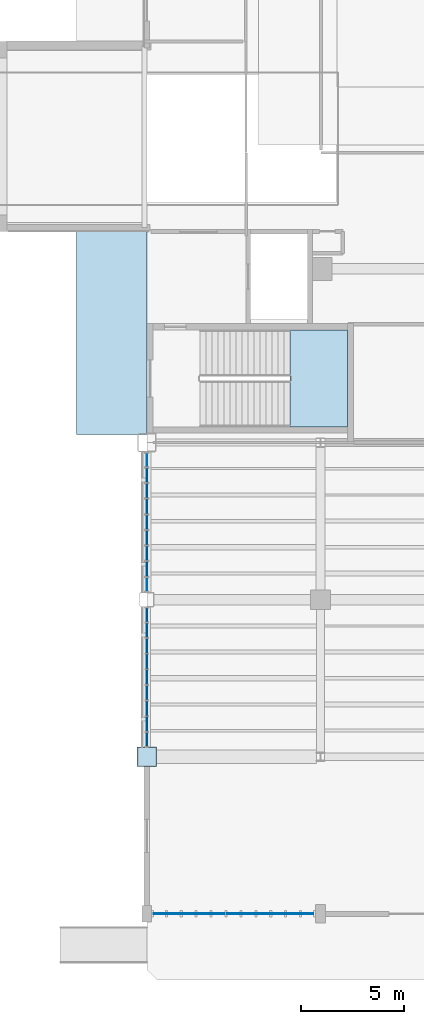
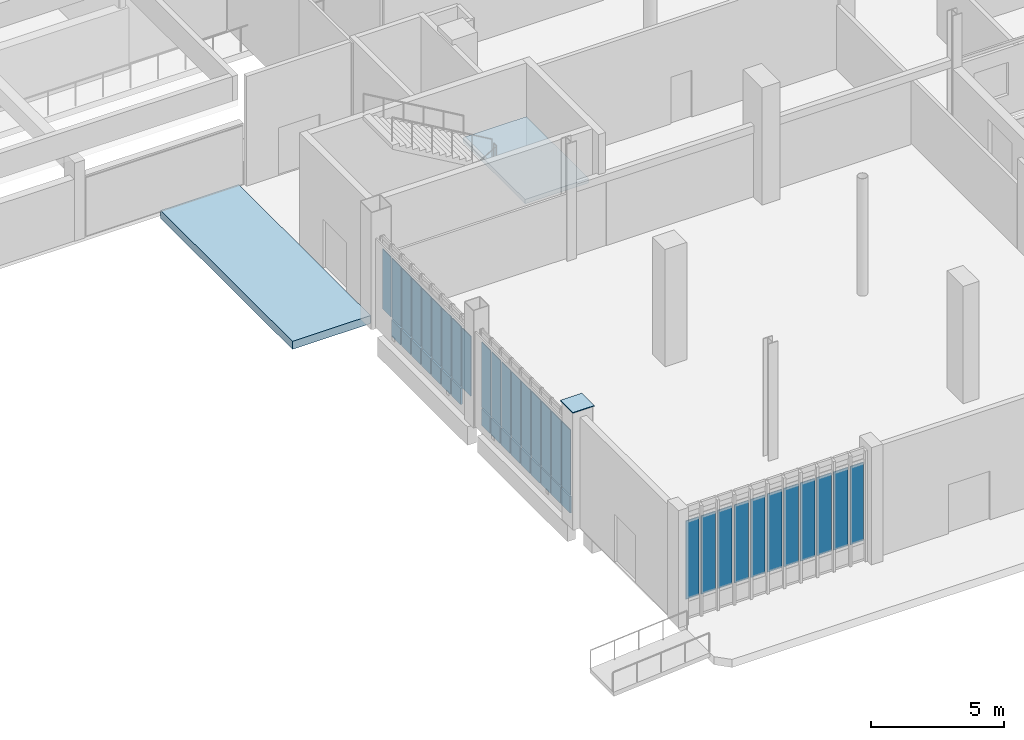
# One storey, part 51 of 111: 46 plates, 2 slabs, 4 elements without a shape of their own.
"""IFC4 building model written with IfcOpenShell, lengths in metres."""

from ifc_helpers import new_model, si_unit, direction, frame, origin, origin_2d, place, context, subcontext, project, spatial, polyline, rectangle, outline, extrude, material, layer, layer_set, type_object, element, aggregate, save


model = new_model("IFC4")

# Units and contexts
model_context = context("Model", 3, precision=1e-05, world=origin(), true_north=direction((0.0, 1.0)))
body_context = subcontext(model_context, "Body", "Model", "MODEL_VIEW")
ifc_project = project(units=[si_unit("LENGTHUNIT", "METRE"), si_unit("AREAUNIT", "SQUARE_METRE"), si_unit("VOLUMEUNIT", "CUBIC_METRE"), si_unit("PLANEANGLEUNIT", "RADIAN"), si_unit("MASSUNIT", "GRAM", prefix="KILO")], contexts=[model_context])

# Site, building, storey
site_placement = place(None, origin())
site = spatial("IfcSite", under=ifc_project, at=site_placement, CompositionType="ELEMENT")
building_placement = place(site_placement, origin())
building = spatial("IfcBuilding", under=site, at=building_placement, Name="Larkvane Passage Sports Hall", CompositionType="ELEMENT")
storey_placement = place(building_placement, origin())
storey = spatial("IfcBuildingStorey", under=building, at=storey_placement, Name="L00", CompositionType="ELEMENT", Elevation=0.0)

# Curtain wall, plates
ifc_material_1 = material(Name="Thermally broken aluminium and low-E glazing", Category="aluminium")
curtain_wall_type_1 = type_object("IfcCurtainWallType", Name="CW-UNIT-COURT", PredefinedType="USERDEFINED", material=ifc_material_1)
curtain_wall_1_placement = place(storey_placement, origin())
curtain_wall_1 = element("IfcCurtainWall", 1, at=curtain_wall_1_placement, inside=storey, type_object=curtain_wall_type_1, Name="Curtain wall CW5-L00-004", ObjectType="UNITISED CURTAIN WALL", PredefinedType="USERDEFINED")
ifc_material_2 = material(Name="Insulated aluminium spandrel panel", Category="aluminium")
ifc_layer_1 = layer(ifc_material_2, 0.06494140625)
ifc_layer_set_1 = layer_set([ifc_layer_1], Name="Insulated aluminium spandrel panel")
plate_type_1 = type_object("IfcPlateType", Name="CWP-SPD-65", PredefinedType="CURTAIN_PANEL", material=ifc_layer_set_1)
plate_1_placement = place(storey_placement, frame((34.800048828125, 8.439208984375, 0.06005859375), z_axis=(0.0, 0.0, 1.0), x_axis=(0.0, 1.0, 0.0)))
plate_1 = element("IfcPlate", 2, at=plate_1_placement, type_object=plate_type_1, Name="CW-01 panel 1.1", PredefinedType="CURTAIN_PANEL", context=body_context, shape_type="SweptSolid", body=[
    extrude(rectangle(XDim=0.66650390625, YDim=0.06494140625, at=origin_2d()), origin(), (0.0, 0.0, 1.0), 0.760009765625),
])
plate_2_placement = place(storey_placement, frame((34.800048828125, 9.1806640625, 0.06005859375), z_axis=(0.0, 0.0, 1.0), x_axis=(0.0, 1.0, 0.0)))
plate_2 = element("IfcPlate", 3, at=plate_2_placement, type_object=plate_type_1, Name="CW-01 panel 2.1", PredefinedType="CURTAIN_PANEL", context=body_context, shape_type="SweptSolid", body=[
    extrude(rectangle(XDim=0.696533203125, YDim=0.06494140625, at=origin_2d()), origin(), (0.0, 0.0, 1.0), 0.760009765625),
])
plate_3_placement = place(storey_placement, frame((34.800048828125, 9.93701171875, 0.06005859375), z_axis=(0.0, 0.0, 1.0), x_axis=(0.0, 1.0, 0.0)))
plate_3 = element("IfcPlate", 4, at=plate_3_placement, type_object=plate_type_1, Name="CW-01 panel 3.1", PredefinedType="CURTAIN_PANEL", context=body_context, shape_type="SweptSolid", body=[
    extrude(rectangle(XDim=0.696533203125, YDim=0.06494140625, at=origin_2d()), origin(), (0.0, 0.0, 1.0), 0.760009765625),
])
plate_4_placement = place(storey_placement, frame((34.800048828125, 10.693603515625, 0.06005859375), z_axis=(0.0, 0.0, 1.0), x_axis=(0.0, 1.0, 0.0)))
plate_4 = element("IfcPlate", 5, at=plate_4_placement, type_object=plate_type_1, Name="CW-01 panel 4.1", PredefinedType="CURTAIN_PANEL", context=body_context, shape_type="SweptSolid", body=[
    extrude(rectangle(XDim=0.696533203125, YDim=0.06494140625, at=origin_2d()), origin(), (0.0, 0.0, 1.0), 0.760009765625),
])
plate_5_placement = place(storey_placement, frame((34.800048828125, 11.449951171875, 0.06005859375), z_axis=(0.0, 0.0, 1.0), x_axis=(0.0, 1.0, 0.0)))
plate_5 = element("IfcPlate", 6, at=plate_5_placement, type_object=plate_type_1, Name="CW-01 panel 5.1", PredefinedType="CURTAIN_PANEL", context=body_context, shape_type="SweptSolid", body=[
    extrude(rectangle(XDim=0.696533203125, YDim=0.06494140625, at=origin_2d()), origin(), (0.0, 0.0, 1.0), 0.760009765625),
])
plate_6_placement = place(storey_placement, frame((34.800048828125, 12.20654296875, 0.06005859375), z_axis=(0.0, 0.0, 1.0), x_axis=(0.0, 1.0, 0.0)))
plate_6 = element("IfcPlate", 7, at=plate_6_placement, type_object=plate_type_1, Name="CW-01 panel 6.1", PredefinedType="CURTAIN_PANEL", context=body_context, shape_type="SweptSolid", body=[
    extrude(rectangle(XDim=0.696533203125, YDim=0.06494140625, at=origin_2d()), origin(), (0.0, 0.0, 1.0), 0.760009765625),
])
plate_7_placement = place(storey_placement, frame((34.800048828125, 12.962890625, 0.06005859375), z_axis=(0.0, 0.0, 1.0), x_axis=(0.0, 1.0, 0.0)))
plate_7 = element("IfcPlate", 8, at=plate_7_placement, type_object=plate_type_1, Name="CW-01 panel 7.1", PredefinedType="CURTAIN_PANEL", context=body_context, shape_type="SweptSolid", body=[
    extrude(rectangle(XDim=0.696533203125, YDim=0.06494140625, at=origin_2d()), origin(), (0.0, 0.0, 1.0), 0.760009765625),
])
plate_8_placement = place(storey_placement, frame((34.800048828125, 13.71923828125, 0.06005859375), z_axis=(0.0, 0.0, 1.0), x_axis=(0.0, 1.0, 0.0)))
plate_8 = element("IfcPlate", 9, at=plate_8_placement, type_object=plate_type_1, Name="CW-01 panel 8.1", PredefinedType="CURTAIN_PANEL", context=body_context, shape_type="SweptSolid", body=[
    extrude(rectangle(XDim=0.696533203125, YDim=0.06494140625, at=origin_2d()), origin(), (0.0, 0.0, 1.0), 0.760009765625),
])
plate_9_placement = place(storey_placement, frame((34.800048828125, 14.460693359375, 0.06005859375), z_axis=(0.0, 0.0, 1.0), x_axis=(0.0, 1.0, 0.0)))
plate_9 = element("IfcPlate", 10, at=plate_9_placement, type_object=plate_type_1, Name="CW-01 panel 9.1", PredefinedType="CURTAIN_PANEL", context=body_context, shape_type="SweptSolid", body=[
    extrude(rectangle(XDim=0.66650390625, YDim=0.06494140625, at=origin_2d()), origin(), (0.0, 0.0, 1.0), 0.760009765625),
])

curtain_wall_type_2 = type_object("IfcCurtainWallType", Name="CW-UNIT-VEIL", PredefinedType="USERDEFINED", material=ifc_material_1)
curtain_wall_2_placement = place(storey_placement, origin())
curtain_wall_2 = element("IfcCurtainWall", 11, at=curtain_wall_2_placement, inside=storey, type_object=curtain_wall_type_2, Name="Curtain wall CW5-L00-005", ObjectType="UNITISED CURTAIN WALL", PredefinedType="USERDEFINED")
ifc_material_3 = material(Name="Mineral-wool insulated spandrel cassette")
ifc_layer_2 = layer(ifc_material_3, 0.0849609375)
ifc_layer_set_2 = layer_set([ifc_layer_2], Name="Mineral-wool insulated spandrel cassette")
plate_type_2 = type_object("IfcPlateType", Name="CWP-SPD-85", PredefinedType="CURTAIN_PANEL", material=ifc_layer_set_2)
plate_10_placement = place(storey_placement, frame((34.800048828125, 16.6806640625, 0.06982421875), z_axis=(0.0, 0.0, 1.0), x_axis=(0.0, 1.0, 0.0)))
plate_10 = element("IfcPlate", 12, at=plate_10_placement, type_object=plate_type_2, Name="CW-02 panel 2.1", PredefinedType="CURTAIN_PANEL", context=body_context, shape_type="SweptSolid", body=[
    extrude(rectangle(XDim=0.6865234375, YDim=0.0849609375, at=origin_2d()), origin(), (0.0, 0.0, 1.0), 0.7451171875),
])
plate_11_placement = place(storey_placement, frame((34.800048828125, 17.43701171875, 0.06982421875), z_axis=(0.0, 0.0, 1.0), x_axis=(0.0, 1.0, 0.0)))
plate_11 = element("IfcPlate", 13, at=plate_11_placement, type_object=plate_type_2, Name="CW-02 panel 3.1", PredefinedType="CURTAIN_PANEL", context=body_context, shape_type="SweptSolid", body=[
    extrude(rectangle(XDim=0.6865234375, YDim=0.0849609375, at=origin_2d()), origin(), (0.0, 0.0, 1.0), 0.7451171875),
])
plate_12_placement = place(storey_placement, frame((34.800048828125, 18.193603515625, 0.06982421875), z_axis=(0.0, 0.0, 1.0), x_axis=(0.0, 1.0, 0.0)))
plate_12 = element("IfcPlate", 14, at=plate_12_placement, type_object=plate_type_2, Name="CW-02 panel 4.1", PredefinedType="CURTAIN_PANEL", context=body_context, shape_type="SweptSolid", body=[
    extrude(rectangle(XDim=0.6865234375, YDim=0.0849609375, at=origin_2d()), origin(), (0.0, 0.0, 1.0), 0.7451171875),
])
plate_13_placement = place(storey_placement, frame((34.800048828125, 18.949951171875, 0.06982421875), z_axis=(0.0, 0.0, 1.0), x_axis=(0.0, 1.0, 0.0)))
plate_13 = element("IfcPlate", 15, at=plate_13_placement, type_object=plate_type_2, Name="CW-02 panel 5.1", PredefinedType="CURTAIN_PANEL", context=body_context, shape_type="SweptSolid", body=[
    extrude(rectangle(XDim=0.6865234375, YDim=0.0849609375, at=origin_2d()), origin(), (0.0, 0.0, 1.0), 0.7451171875),
])
plate_14_placement = place(storey_placement, frame((34.800048828125, 19.70654296875, 0.06982421875), z_axis=(0.0, 0.0, 1.0), x_axis=(0.0, 1.0, 0.0)))
plate_14 = element("IfcPlate", 16, at=plate_14_placement, type_object=plate_type_2, Name="CW-02 panel 6.1", PredefinedType="CURTAIN_PANEL", context=body_context, shape_type="SweptSolid", body=[
    extrude(rectangle(XDim=0.6865234375, YDim=0.0849609375, at=origin_2d()), origin(), (0.0, 0.0, 1.0), 0.7451171875),
])
plate_15_placement = place(storey_placement, frame((34.800048828125, 20.462890625, 0.06982421875), z_axis=(0.0, 0.0, 1.0), x_axis=(0.0, 1.0, 0.0)))
plate_15 = element("IfcPlate", 17, at=plate_15_placement, type_object=plate_type_2, Name="CW-02 panel 7.1", PredefinedType="CURTAIN_PANEL", context=body_context, shape_type="SweptSolid", body=[
    extrude(rectangle(XDim=0.6865234375, YDim=0.0849609375, at=origin_2d()), origin(), (0.0, 0.0, 1.0), 0.7451171875),
])
plate_16_placement = place(storey_placement, frame((34.800048828125, 21.21923828125, 0.06982421875), z_axis=(0.0, 0.0, 1.0), x_axis=(0.0, 1.0, 0.0)))
plate_16 = element("IfcPlate", 18, at=plate_16_placement, type_object=plate_type_2, Name="CW-02 panel 8.1", PredefinedType="CURTAIN_PANEL", context=body_context, shape_type="SweptSolid", body=[
    extrude(rectangle(XDim=0.6865234375, YDim=0.0849609375, at=origin_2d()), origin(), (0.0, 0.0, 1.0), 0.7451171875),
])

# Plate
ifc_material_4 = material(Name="Solar-control low-E double glazing", Category="glass")
ifc_layer_3 = layer(ifc_material_4, 0.028076171875)
ifc_layer_set_3 = layer_set([ifc_layer_3], Name="Solar-control low-E double glazing")
plate_type_3 = type_object("IfcPlateType", Name="CWP-VIS-28", PredefinedType="CURTAIN_PANEL", material=ifc_layer_set_3)
plate_17_placement = place(storey_placement, frame((34.800048828125, 8.439208984375, 0.8798828125), z_axis=(0.0, 0.0, 1.0), x_axis=(0.0, 1.0, 0.0)))
plate_17 = element("IfcPlate", 19, at=plate_17_placement, type_object=plate_type_3, Name="CW-01 panel 1.2", PredefinedType="CURTAIN_PANEL", context=body_context, shape_type="SweptSolid", body=[
    extrude(rectangle(XDim=0.66650390625, YDim=0.028076171875, at=origin_2d()), origin(), (0.0, 0.0, 1.0), 3.008056640625),
])

plate_18_placement = place(storey_placement, frame((34.800048828125, 9.1806640625, 0.8798828125), z_axis=(0.0, 0.0, 1.0), x_axis=(0.0, 1.0, 0.0)))
plate_18 = element("IfcPlate", 20, at=plate_18_placement, type_object=plate_type_3, Name="CW-01 panel 2.2", PredefinedType="CURTAIN_PANEL", context=body_context, shape_type="SweptSolid", body=[
    extrude(rectangle(XDim=0.696533203125, YDim=0.028076171875, at=origin_2d()), origin(), (0.0, 0.0, 1.0), 3.008056640625),
])

plate_19_placement = place(storey_placement, frame((34.800048828125, 9.93701171875, 0.8798828125), z_axis=(0.0, 0.0, 1.0), x_axis=(0.0, 1.0, 0.0)))
plate_19 = element("IfcPlate", 21, at=plate_19_placement, type_object=plate_type_3, Name="CW-01 panel 3.2", PredefinedType="CURTAIN_PANEL", context=body_context, shape_type="SweptSolid", body=[
    extrude(rectangle(XDim=0.696533203125, YDim=0.028076171875, at=origin_2d()), origin(), (0.0, 0.0, 1.0), 3.008056640625),
])

plate_20_placement = place(storey_placement, frame((34.800048828125, 10.693603515625, 0.8798828125), z_axis=(0.0, 0.0, 1.0), x_axis=(0.0, 1.0, 0.0)))
plate_20 = element("IfcPlate", 22, at=plate_20_placement, type_object=plate_type_3, Name="CW-01 panel 4.2", PredefinedType="CURTAIN_PANEL", context=body_context, shape_type="SweptSolid", body=[
    extrude(rectangle(XDim=0.696533203125, YDim=0.028076171875, at=origin_2d()), origin(), (0.0, 0.0, 1.0), 3.008056640625),
])

plate_21_placement = place(storey_placement, frame((34.800048828125, 11.449951171875, 0.8798828125), z_axis=(0.0, 0.0, 1.0), x_axis=(0.0, 1.0, 0.0)))
plate_21 = element("IfcPlate", 23, at=plate_21_placement, type_object=plate_type_3, Name="CW-01 panel 5.2", PredefinedType="CURTAIN_PANEL", context=body_context, shape_type="SweptSolid", body=[
    extrude(rectangle(XDim=0.696533203125, YDim=0.028076171875, at=origin_2d()), origin(), (0.0, 0.0, 1.0), 3.008056640625),
])

plate_22_placement = place(storey_placement, frame((34.800048828125, 12.20654296875, 0.8798828125), z_axis=(0.0, 0.0, 1.0), x_axis=(0.0, 1.0, 0.0)))
plate_22 = element("IfcPlate", 24, at=plate_22_placement, type_object=plate_type_3, Name="CW-01 panel 6.2", PredefinedType="CURTAIN_PANEL", context=body_context, shape_type="SweptSolid", body=[
    extrude(rectangle(XDim=0.696533203125, YDim=0.028076171875, at=origin_2d()), origin(), (0.0, 0.0, 1.0), 3.008056640625),
])

plate_23_placement = place(storey_placement, frame((34.800048828125, 12.962890625, 0.8798828125), z_axis=(0.0, 0.0, 1.0), x_axis=(0.0, 1.0, 0.0)))
plate_23 = element("IfcPlate", 25, at=plate_23_placement, type_object=plate_type_3, Name="CW-01 panel 7.2", PredefinedType="CURTAIN_PANEL", context=body_context, shape_type="SweptSolid", body=[
    extrude(rectangle(XDim=0.696533203125, YDim=0.028076171875, at=origin_2d()), origin(), (0.0, 0.0, 1.0), 3.008056640625),
])

plate_24_placement = place(storey_placement, frame((34.800048828125, 13.71923828125, 0.8798828125), z_axis=(0.0, 0.0, 1.0), x_axis=(0.0, 1.0, 0.0)))
plate_24 = element("IfcPlate", 26, at=plate_24_placement, type_object=plate_type_3, Name="CW-01 panel 8.2", PredefinedType="CURTAIN_PANEL", context=body_context, shape_type="SweptSolid", body=[
    extrude(rectangle(XDim=0.696533203125, YDim=0.028076171875, at=origin_2d()), origin(), (0.0, 0.0, 1.0), 3.008056640625),
])

plate_25_placement = place(storey_placement, frame((34.800048828125, 14.460693359375, 0.8798828125), z_axis=(0.0, 0.0, 1.0), x_axis=(0.0, 1.0, 0.0)))
plate_25 = element("IfcPlate", 27, at=plate_25_placement, type_object=plate_type_3, Name="CW-01 panel 9.2", PredefinedType="CURTAIN_PANEL", context=body_context, shape_type="SweptSolid", body=[
    extrude(rectangle(XDim=0.66650390625, YDim=0.028076171875, at=origin_2d()), origin(), (0.0, 0.0, 1.0), 3.008056640625),
])

aggregate(curtain_wall_1, [plate_1, plate_17, plate_2, plate_18, plate_3, plate_19, plate_4, plate_20, plate_5, plate_21, plate_6, plate_22, plate_7, plate_23, plate_8, plate_24, plate_9, plate_25])

ifc_material_5 = material(Name="Laminated acoustic low-E glazing", Category="glass")
ifc_layer_4 = layer(ifc_material_5, 0.031982421875)
ifc_layer_set_4 = layer_set([ifc_layer_4], Name="Laminated acoustic low-E glazing")
plate_type_4 = type_object("IfcPlateType", Name="CWP-VIS-32", PredefinedType="CURTAIN_PANEL", material=ifc_layer_set_4)
plate_26_placement = place(storey_placement, frame((34.800048828125, 15.941650390625, 0.885009765625), z_axis=(0.0, 0.0, 1.0), x_axis=(0.0, 1.0, 0.0)))
plate_26 = element("IfcPlate", 28, at=plate_26_placement, type_object=plate_type_4, Name="CW-02 panel 1.2", PredefinedType="CURTAIN_PANEL", context=body_context, shape_type="SweptSolid", body=[
    extrude(rectangle(XDim=0.6513671875, YDim=0.031982421875, at=origin_2d()), origin(), (0.0, 0.0, 1.0), 2.748046875),
])

plate_27_placement = place(storey_placement, frame((34.800048828125, 16.6806640625, 0.885009765625), z_axis=(0.0, 0.0, 1.0), x_axis=(0.0, 1.0, 0.0)))
plate_27 = element("IfcPlate", 29, at=plate_27_placement, type_object=plate_type_4, Name="CW-02 panel 2.2", PredefinedType="CURTAIN_PANEL", context=body_context, shape_type="SweptSolid", body=[
    extrude(rectangle(XDim=0.6865234375, YDim=0.031982421875, at=origin_2d()), origin(), (0.0, 0.0, 1.0), 2.748046875),
])

plate_28_placement = place(storey_placement, frame((34.800048828125, 17.43701171875, 0.885009765625), z_axis=(0.0, 0.0, 1.0), x_axis=(0.0, 1.0, 0.0)))
plate_28 = element("IfcPlate", 30, at=plate_28_placement, type_object=plate_type_4, Name="CW-02 panel 3.2", PredefinedType="CURTAIN_PANEL", context=body_context, shape_type="SweptSolid", body=[
    extrude(rectangle(XDim=0.6865234375, YDim=0.031982421875, at=origin_2d()), origin(), (0.0, 0.0, 1.0), 2.748046875),
])

plate_29_placement = place(storey_placement, frame((34.800048828125, 18.193603515625, 0.885009765625), z_axis=(0.0, 0.0, 1.0), x_axis=(0.0, 1.0, 0.0)))
plate_29 = element("IfcPlate", 31, at=plate_29_placement, type_object=plate_type_4, Name="CW-02 panel 4.2", PredefinedType="CURTAIN_PANEL", context=body_context, shape_type="SweptSolid", body=[
    extrude(rectangle(XDim=0.6865234375, YDim=0.031982421875, at=origin_2d()), origin(), (0.0, 0.0, 1.0), 2.748046875),
])

plate_30_placement = place(storey_placement, frame((34.800048828125, 18.949951171875, 0.885009765625), z_axis=(0.0, 0.0, 1.0), x_axis=(0.0, 1.0, 0.0)))
plate_30 = element("IfcPlate", 32, at=plate_30_placement, type_object=plate_type_4, Name="CW-02 panel 5.2", PredefinedType="CURTAIN_PANEL", context=body_context, shape_type="SweptSolid", body=[
    extrude(rectangle(XDim=0.6865234375, YDim=0.031982421875, at=origin_2d()), origin(), (0.0, 0.0, 1.0), 2.748046875),
])

plate_31_placement = place(storey_placement, frame((34.800048828125, 19.70654296875, 0.885009765625), z_axis=(0.0, 0.0, 1.0), x_axis=(0.0, 1.0, 0.0)))
plate_31 = element("IfcPlate", 33, at=plate_31_placement, type_object=plate_type_4, Name="CW-02 panel 6.2", PredefinedType="CURTAIN_PANEL", context=body_context, shape_type="SweptSolid", body=[
    extrude(rectangle(XDim=0.6865234375, YDim=0.031982421875, at=origin_2d()), origin(), (0.0, 0.0, 1.0), 2.748046875),
])

plate_32_placement = place(storey_placement, frame((34.800048828125, 20.462890625, 0.885009765625), z_axis=(0.0, 0.0, 1.0), x_axis=(0.0, 1.0, 0.0)))
plate_32 = element("IfcPlate", 34, at=plate_32_placement, type_object=plate_type_4, Name="CW-02 panel 7.2", PredefinedType="CURTAIN_PANEL", context=body_context, shape_type="SweptSolid", body=[
    extrude(rectangle(XDim=0.6865234375, YDim=0.031982421875, at=origin_2d()), origin(), (0.0, 0.0, 1.0), 2.748046875),
])

plate_33_placement = place(storey_placement, frame((34.800048828125, 21.21923828125, 0.885009765625), z_axis=(0.0, 0.0, 1.0), x_axis=(0.0, 1.0, 0.0)))
plate_33 = element("IfcPlate", 35, at=plate_33_placement, type_object=plate_type_4, Name="CW-02 panel 8.2", PredefinedType="CURTAIN_PANEL", context=body_context, shape_type="SweptSolid", body=[
    extrude(rectangle(XDim=0.6865234375, YDim=0.031982421875, at=origin_2d()), origin(), (0.0, 0.0, 1.0), 2.748046875),
])

plate_34_placement = place(storey_placement, frame((34.800048828125, 21.958251953125, 0.885009765625), z_axis=(0.0, 0.0, 1.0), x_axis=(0.0, 1.0, 0.0)))
plate_34 = element("IfcPlate", 36, at=plate_34_placement, type_object=plate_type_4, Name="CW-02 panel 9.2", PredefinedType="CURTAIN_PANEL", context=body_context, shape_type="SweptSolid", body=[
    extrude(rectangle(XDim=0.6513671875, YDim=0.031982421875, at=origin_2d()), origin(), (0.0, 0.0, 1.0), 2.748046875),
])

aggregate(curtain_wall_2, [plate_26, plate_10, plate_27, plate_11, plate_28, plate_12, plate_29, plate_13, plate_30, plate_14, plate_31, plate_15, plate_32, plate_16, plate_33, plate_34])

# Curtain wall, plates
curtain_wall_type_3 = type_object("IfcCurtainWallType", Name="CW-CLINIC", PredefinedType="USERDEFINED", material=ifc_material_1)
curtain_wall_3_placement = place(storey_placement, origin())
curtain_wall_3 = element("IfcCurtainWall", 37, at=curtain_wall_3_placement, inside=storey, type_object=curtain_wall_type_3, Name="Curtain wall CW5-L00-003", ObjectType="UNITISED CURTAIN WALL", PredefinedType="USERDEFINED")
ifc_material_6 = material(Name="Triple-laminated typhoon glazing", Category="glass")
ifc_layer_5 = layer(ifc_material_6, 0.0419921875)
ifc_layer_set_5 = layer_set([ifc_layer_5], Name="Triple-laminated typhoon glazing")
plate_type_5 = type_object("IfcPlateType", Name="CWP-VIS-42", PredefinedType="CURTAIN_PANEL", material=ifc_layer_set_5)
plate_35_placement = place(storey_placement, frame((42.568359375, 0.0, 0.89990234375), z_axis=(0.0, 0.0, 1.0), x_axis=(-1.0, 0.0, 0.0)))
plate_35 = element("IfcPlate", 38, at=plate_35_placement, type_object=plate_type_5, Name="CW-05 panel 1.2", PredefinedType="CURTAIN_PANEL", context=body_context, shape_type="SweptSolid", body=[
    extrude(rectangle(XDim=0.5712890625, YDim=0.0419921875, at=origin_2d()), origin(), (0.0, 0.0, 1.0), 3.60009765625),
])
plate_36_placement = place(storey_placement, frame((41.872314453125, 0.0, 0.89990234375), z_axis=(0.0, 0.0, 1.0), x_axis=(-1.0, 0.0, 0.0)))
plate_36 = element("IfcPlate", 39, at=plate_36_placement, type_object=plate_type_5, Name="CW-05 panel 2.2", PredefinedType="CURTAIN_PANEL", context=body_context, shape_type="SweptSolid", body=[
    extrude(rectangle(XDim=0.62109375, YDim=0.0419921875, at=origin_2d()), origin(), (0.0, 0.0, 1.0), 3.60009765625),
])
plate_37_placement = place(storey_placement, frame((41.151123046875, 0.0, 0.89990234375), z_axis=(0.0, 0.0, 1.0), x_axis=(-1.0, 0.0, 0.0)))
plate_37 = element("IfcPlate", 40, at=plate_37_placement, type_object=plate_type_5, Name="CW-05 panel 3.2", PredefinedType="CURTAIN_PANEL", context=body_context, shape_type="SweptSolid", body=[
    extrude(rectangle(XDim=0.62109375, YDim=0.0419921875, at=origin_2d()), origin(), (0.0, 0.0, 1.0), 3.60009765625),
])
plate_38_placement = place(storey_placement, frame((40.429931640625, 0.0, 0.89990234375), z_axis=(0.0, 0.0, 1.0), x_axis=(-1.0, 0.0, 0.0)))
plate_38 = element("IfcPlate", 41, at=plate_38_placement, type_object=plate_type_5, Name="CW-05 panel 4.2", PredefinedType="CURTAIN_PANEL", context=body_context, shape_type="SweptSolid", body=[
    extrude(rectangle(XDim=0.62109375, YDim=0.0419921875, at=origin_2d()), origin(), (0.0, 0.0, 1.0), 3.60009765625),
])
plate_39_placement = place(storey_placement, frame((39.708740234375, 0.0, 0.89990234375), z_axis=(0.0, 0.0, 1.0), x_axis=(-1.0, 0.0, 0.0)))
plate_39 = element("IfcPlate", 42, at=plate_39_placement, type_object=plate_type_5, Name="CW-05 panel 5.2", PredefinedType="CURTAIN_PANEL", context=body_context, shape_type="SweptSolid", body=[
    extrude(rectangle(XDim=0.62109375, YDim=0.0419921875, at=origin_2d()), origin(), (0.0, 0.0, 1.0), 3.60009765625),
])
plate_40_placement = place(storey_placement, frame((38.987548828125, 0.0, 0.89990234375), z_axis=(0.0, 0.0, 1.0), x_axis=(-1.0, 0.0, 0.0)))
plate_40 = element("IfcPlate", 43, at=plate_40_placement, type_object=plate_type_5, Name="CW-05 panel 6.2", PredefinedType="CURTAIN_PANEL", context=body_context, shape_type="SweptSolid", body=[
    extrude(rectangle(XDim=0.62109375, YDim=0.0419921875, at=origin_2d()), origin(), (0.0, 0.0, 1.0), 3.60009765625),
])
plate_41_placement = place(storey_placement, frame((38.266357421875, 0.0, 0.89990234375), z_axis=(0.0, 0.0, 1.0), x_axis=(-1.0, 0.0, 0.0)))
plate_41 = element("IfcPlate", 44, at=plate_41_placement, type_object=plate_type_5, Name="CW-05 panel 7.2", PredefinedType="CURTAIN_PANEL", context=body_context, shape_type="SweptSolid", body=[
    extrude(rectangle(XDim=0.62109375, YDim=0.0419921875, at=origin_2d()), origin(), (0.0, 0.0, 1.0), 3.60009765625),
])
plate_42_placement = place(storey_placement, frame((37.545166015625, 0.0, 0.89990234375), z_axis=(0.0, 0.0, 1.0), x_axis=(-1.0, 0.0, 0.0)))
plate_42 = element("IfcPlate", 45, at=plate_42_placement, type_object=plate_type_5, Name="CW-05 panel 8.2", PredefinedType="CURTAIN_PANEL", context=body_context, shape_type="SweptSolid", body=[
    extrude(rectangle(XDim=0.62109375, YDim=0.0419921875, at=origin_2d()), origin(), (0.0, 0.0, 1.0), 3.60009765625),
])
plate_43_placement = place(storey_placement, frame((36.823974609375, 0.0, 0.89990234375), z_axis=(0.0, 0.0, 1.0), x_axis=(-1.0, 0.0, 0.0)))
plate_43 = element("IfcPlate", 46, at=plate_43_placement, type_object=plate_type_5, Name="CW-05 panel 9.2", PredefinedType="CURTAIN_PANEL", context=body_context, shape_type="SweptSolid", body=[
    extrude(rectangle(XDim=0.62109375, YDim=0.0419921875, at=origin_2d()), origin(), (0.0, 0.0, 1.0), 3.60009765625),
])
plate_44_placement = place(storey_placement, frame((36.102783203125, 0.0, 0.89990234375), z_axis=(0.0, 0.0, 1.0), x_axis=(-1.0, 0.0, 0.0)))
plate_44 = element("IfcPlate", 47, at=plate_44_placement, type_object=plate_type_5, Name="CW-05 panel 10.2", PredefinedType="CURTAIN_PANEL", context=body_context, shape_type="SweptSolid", body=[
    extrude(rectangle(XDim=0.62109375, YDim=0.0419921875, at=origin_2d()), origin(), (0.0, 0.0, 1.0), 3.60009765625),
])
plate_45_placement = place(storey_placement, frame((35.406494140625, 0.0, 0.89990234375), z_axis=(0.0, 0.0, 1.0), x_axis=(-1.0, 0.0, 0.0)))
plate_45 = element("IfcPlate", 48, at=plate_45_placement, type_object=plate_type_5, Name="CW-05 panel 11.2", PredefinedType="CURTAIN_PANEL", context=body_context, shape_type="SweptSolid", body=[
    extrude(rectangle(XDim=0.5712890625, YDim=0.0419921875, at=origin_2d()), origin(), (0.0, 0.0, 1.0), 3.60009765625),
])
aggregate(curtain_wall_3, [plate_35, plate_36, plate_37, plate_38, plate_39, plate_40, plate_41, plate_42, plate_43, plate_44, plate_45])

# Plate
ifc_material_7 = material(Name="Steel S460N", Category="steel")
ifc_layer_6 = layer(ifc_material_7, 0.035888671875)
ifc_layer_set_6 = layer_set([ifc_layer_6], Name="Steel S460N")
plate_type_6 = type_object("IfcPlateType", Name="PLT-CAP-36", PredefinedType="SHEET", material=ifc_layer_set_6)
plate_46_placement = place(storey_placement, frame((34.800048828125, 7.60009765625, 5.39990234375), z_axis=(0.0, 0.0, 1.0), x_axis=(1.0, 0.0, 0.0)))
element("IfcPlate", 49, at=plate_46_placement, inside=storey, type_object=plate_type_6, Name="Hollow section sealed end cap plate 0001", PredefinedType="SHEET", context=body_context, shape_type="SweptSolid", body=[
    extrude(rectangle(XDim=0.93994140625, YDim=0.93994140625, at=origin_2d()), origin(), (0.0, 0.0, 1.0), 0.035888671875),
])

# Stair, slab
ifc_material_8 = material(Name="Concrete C40/50", Category="concrete")
stair_type = type_object("IfcStairType", Name="STR-CORE-2250", PredefinedType="HALF_TURN_STAIR", material=ifc_material_8)
stair_placement = place(storey_placement, origin())
stair = element("IfcStair", 50, at=stair_placement, inside=storey, type_object=stair_type, Name="L00 Protected exit stair ST-01", PredefinedType="HALF_TURN_STAIR")
ifc_layer_7 = layer(ifc_material_8, 0.199951171875)
ifc_layer_set_7 = layer_set([ifc_layer_7], Name="Concrete C40/50")
slab_type_1 = type_object("IfcSlabType", Name="SLB-LAND-200", PredefinedType="LANDING", material=ifc_layer_set_7)
slab_1_placement = place(storey_placement, frame((0.0, 0.0, 2.5)))
slab_1 = element("IfcSlab", 51, at=slab_1_placement, type_object=slab_type_1, Name="ST-01 landing 1", PredefinedType="LANDING", context=body_context, shape_type="SweptSolid", body=[
    extrude(outline(polyline([(41.72998046875, 23.550048828125), (44.5, 23.550048828125), (44.5, 28.25), (41.72998046875, 28.25), (41.72998046875, 23.550048828125)])), origin(), (0.0, 0.0, 1.0), 0.199951171875),
])
aggregate(stair, [slab_1])

# Slab
ifc_layer_8 = layer(ifc_material_8, 0.3701171875)
ifc_layer_set_8 = layer_set([ifc_layer_8], Name="Concrete C40/50")
slab_type_2 = type_object("IfcSlabType", Name="SLB-TER-215", PredefinedType="FLOOR", material=ifc_layer_set_8)
slab_2_placement = place(storey_placement, frame((0.0, 0.0, -0.3701171875)))
element("IfcSlab", 52, at=slab_2_placement, inside=storey, type_object=slab_type_2, Name="Exterior terrace deck SLAB-EXT-L00-WEST-S", PredefinedType="FLOOR", context=body_context, shape_type="SweptSolid", body=[
    extrude(outline(polyline([(31.39990234375, 23.199951171875), (34.800048828125, 23.199951171875), (34.800048828125, 33.14990234375), (31.39990234375, 33.14990234375), (31.39990234375, 23.199951171875)])), origin(), (0.0, 0.0, 1.0), 0.3701171875),
])

save(model, "model.ifc")
